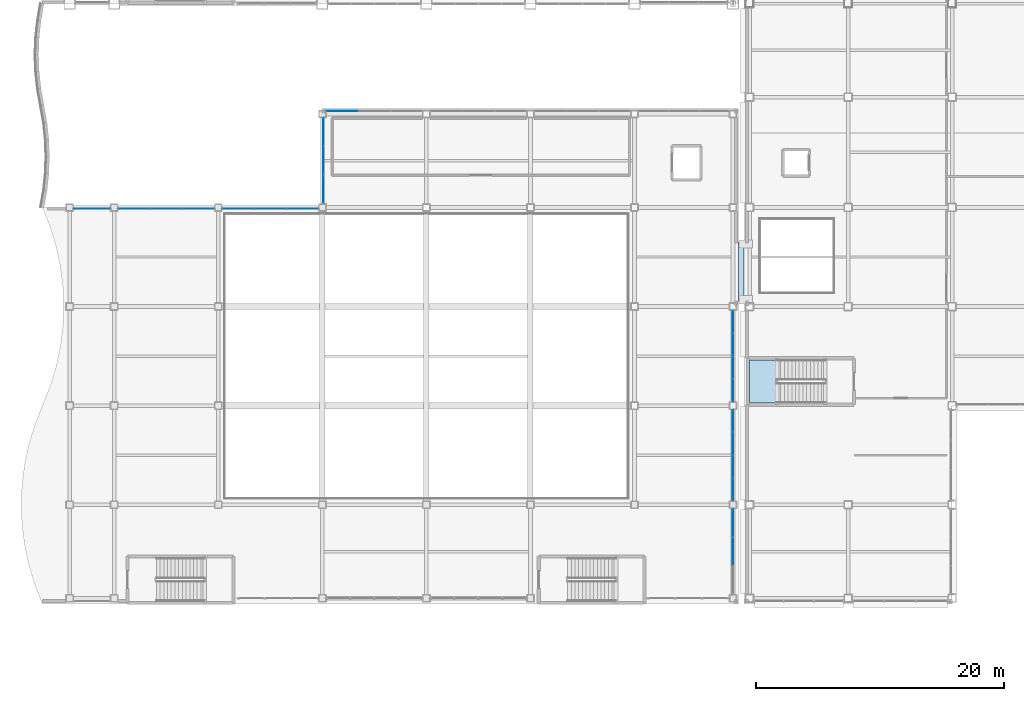
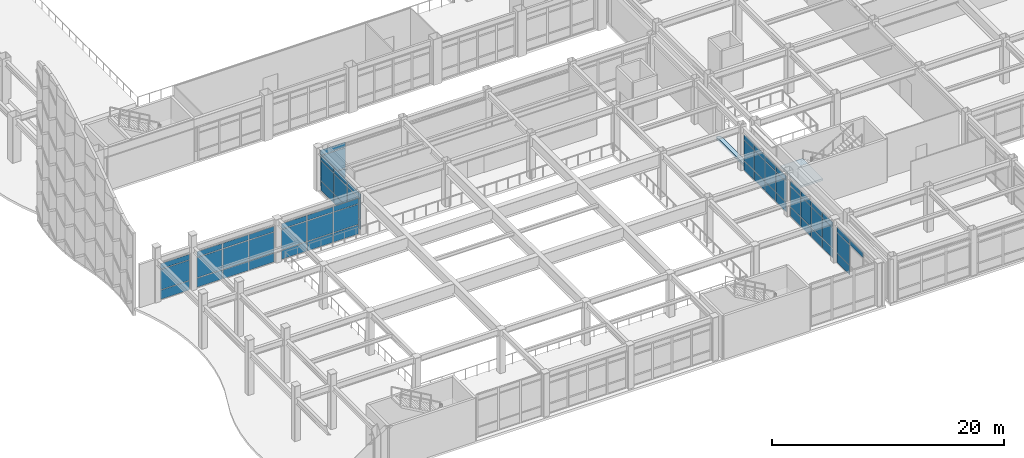
# One storey, part 124 of 172: 61 plates, 2 slabs, 9 elements without a shape of their own.
"""IFC4 building model written with IfcOpenShell, lengths in metres."""

import ifcopenshell
import ifcopenshell.guid

model = None  # the IFC model being written
_history = None  # IfcOwnerHistory: only IFC2X3 demands one
_inside = {}  # id of a spatial element -> (the spatial element, [elements in it])
_under = {}  # id of a project, library or spatial element -> (it, [spatial elements below it])
_declared = {}  # id of a project -> (the project, [libraries it declares])
_typed = {}  # id of a type object -> (the type object, [elements of that type])
_made_of = {}  # id of a material, layer set ... -> (it, [elements and type objects made of it])


def new_model(schema):
    """Start an empty IFC model of exactly this schema.

    Asked for "IFC4X3", IfcOpenShell would pick the latest addendum, in which some entities
    have other attributes; the version numbers below select the first issue.
    IFC2X3 requires an IfcOwnerHistory on every rooted entity: one is made here for all.
    """
    global model, _history
    if schema == "IFC4X3":
        model = ifcopenshell.file(schema_version=(4, 3, 0, 0))
    else:
        model = ifcopenshell.file(schema=schema)
    _inside.clear()
    _under.clear()
    _declared.clear()
    _typed.clear()
    _made_of.clear()
    _history = None
    if model.schema == "IFC2X3":
        org = make("IfcOrganization", Name="unknown")
        user = make(
            "IfcPersonAndOrganization",
            ThePerson=make("IfcPerson", FamilyName="unknown"),
            TheOrganization=org,
        )
        app = make(
            "IfcApplication",
            ApplicationDeveloper=org,
            Version="unknown",
            ApplicationFullName="unknown",
            ApplicationIdentifier="unknown",
        )
        _history = make(
            "IfcOwnerHistory",
            OwningUser=user,
            OwningApplication=app,
            ChangeAction="ADDED",
            CreationDate=0,
        )
    return model


def make(cls, **values):
    """One entity of the class cls with the attributes given. An attribute that is None is left unset."""
    return model.create_entity(
        cls, **{name: value for name, value in values.items() if value is not None}
    )


def rooted(cls, **values):
    """An entity with a GlobalId (a new one), such as an element, a storey or a relation."""
    return make(cls, GlobalId=ifcopenshell.guid.new(), OwnerHistory=_history, **values)


def si_unit(unit_type, name, prefix=None):
    """IfcSIUnit, for example si_unit("LENGTHUNIT", "METRE", prefix="MILLI")."""
    return make("IfcSIUnit", UnitType=unit_type, Prefix=prefix, Name=name)


def assignment(units):
    """IfcUnitAssignment: the units of a project."""
    return None if units is None else make("IfcUnitAssignment", Units=units)


def point(xyz):
    """IfcCartesianPoint."""
    return None if xyz is None else make("IfcCartesianPoint", Coordinates=xyz)


def direction(xyz):
    """IfcDirection."""
    return None if xyz is None else make("IfcDirection", DirectionRatios=xyz)


def frame(location, z_axis=None, x_axis=None):
    """IfcAxis2Placement3D, a coordinate frame: its origin and axes. An axis left out is left unset."""
    return make(
        "IfcAxis2Placement3D",
        Location=point(location),
        Axis=direction(z_axis),
        RefDirection=direction(x_axis),
    )


def frame_2d(location, x_axis=None):
    """IfcAxis2Placement2D, a coordinate frame in the plane: its origin and x axis."""
    return make(
        "IfcAxis2Placement2D", Location=point(location), RefDirection=direction(x_axis)
    )


def origin():
    """The frame at (0, 0, 0) with its axes left unset."""
    return frame((0.0, 0.0, 0.0))


def origin_2d():
    """The frame at (0, 0) in the plane with its x axis left unset."""
    return frame_2d((0.0, 0.0))


def place(relative_to, where):
    """IfcLocalPlacement: puts the frame where relative to a parent placement (None: the world)."""
    return make(
        "IfcLocalPlacement", PlacementRelTo=relative_to, RelativePlacement=where
    )


def context(
    kind, dimensions, precision=None, world=None, true_north=None, identifier=None
):
    """IfcGeometricRepresentationContext, for example the 3D "Model" context."""
    return make(
        "IfcGeometricRepresentationContext",
        ContextIdentifier=identifier,
        ContextType=kind,
        CoordinateSpaceDimension=dimensions,
        Precision=precision,
        WorldCoordinateSystem=world,
        TrueNorth=true_north,
    )


def subcontext(parent, identifier, kind, view, scale=None):
    """IfcGeometricRepresentationSubContext, for example "Body" below "Model"."""
    return make(
        "IfcGeometricRepresentationSubContext",
        ContextIdentifier=identifier,
        ContextType=kind,
        ParentContext=parent,
        TargetScale=scale,
        TargetView=view,
    )


def project(units=None, contexts=None):
    """IfcProject with its units and contexts."""
    return rooted(
        "IfcProject",
        Name="project",
        RepresentationContexts=contexts,
        UnitsInContext=assignment(units),
    )


def spatial(cls, under=None, at=None, **own):
    """A site, building, storey or space (cls), placed at a placement, below another one or the project."""
    s = rooted(cls, ObjectPlacement=at, **own)
    if under is not None:
        _under.setdefault(under.id(), (under, []))[1].append(s)
    return s


def polyline(points):
    """IfcPolyline through the points."""
    return make("IfcPolyline", Points=[point(p) for p in points])


def profile(cls, at=None, kind="AREA", **sizes):
    """A parametric profile (cls). Its sizes go by their IFC names, for example OverallWidth=200.0."""
    return make(cls, ProfileType=kind, Position=at, **sizes)


def rectangle(**sizes):
    """IfcRectangleProfileDef."""
    return profile("IfcRectangleProfileDef", **sizes)


def outline(outer, holes=None, kind="AREA"):
    """IfcArbitraryClosedProfileDef: a profile drawn as a closed curve; with holes, ...WithVoids."""
    if holes is None:
        return make("IfcArbitraryClosedProfileDef", ProfileType=kind, OuterCurve=outer)
    return make(
        "IfcArbitraryProfileDefWithVoids",
        ProfileType=kind,
        OuterCurve=outer,
        InnerCurves=holes,
    )


def extrude(swept, where, along, depth):
    """IfcExtrudedAreaSolid: the profile swept, set in the frame where, extruded along a direction by depth."""
    return make(
        "IfcExtrudedAreaSolid",
        SweptArea=swept,
        Position=where,
        ExtrudedDirection=direction(along),
        Depth=depth,
    )


def shape(context_of_items, identifier, shape_type, items):
    """IfcShapeRepresentation: the items that make up one representation, for example the "Body"."""
    return make(
        "IfcShapeRepresentation",
        ContextOfItems=context_of_items,
        RepresentationIdentifier=identifier,
        RepresentationType=shape_type,
        Items=items,
    )


def material(Name=None, Category=None):
    """IfcMaterial."""
    return make("IfcMaterial", Name=Name, Category=Category)


def layer(
    of_material, thickness, ventilated=None, Name=None, Category=None, Priority=None
):
    """IfcMaterialLayer: one layer of a wall or slab, of a material (None: an air gap)."""
    return make(
        "IfcMaterialLayer",
        Material=of_material,
        LayerThickness=thickness,
        IsVentilated=ventilated,
        Name=Name,
        Category=Category,
        Priority=Priority,
    )


def layer_set(layers, Name=None):
    """IfcMaterialLayerSet."""
    return make("IfcMaterialLayerSet", MaterialLayers=layers, LayerSetName=Name)


def made_of(thing, what):
    """Note that an element or type object is made of a material, layer set ...; save() writes the relation."""
    if what is not None:
        _made_of.setdefault(what.id(), (what, []))[1].append(thing)
    return thing


def type_object(cls, material=None, **own):
    """A type object (cls), such as IfcWallType, which elements share."""
    return made_of(rooted(cls, **own), material)


def element(
    cls,
    number,
    at=None,
    inside=None,
    cuts=None,
    type_object=None,
    material=None,
    context=None,
    identifier="Body",
    shape_type=None,
    held_by="IfcProductDefinitionShape",
    body=None,
    shapes=None,
    **own,
):
    """One element of the class cls, such as IfcWall. Its Tag is "e" and its number.

    at: its placement. inside: the storey or other place that contains it. cuts: it is an
    opening in that element (IfcRelVoidsElement). A single representation is given by context,
    identifier, shape_type and body (its items); several are given by shapes. held_by: the class
    of the entity that holds the representations. save() writes the other relations.
    """
    e = rooted(cls, Tag="e%d" % number, ObjectPlacement=at, **own)
    if body is not None:
        shapes = [shape(context, identifier, shape_type, body)]
    if shapes is not None:
        e.Representation = make(held_by, Representations=shapes)
    if inside is not None:
        _inside.setdefault(inside.id(), (inside, []))[1].append(e)
    if cuts is not None:
        rooted(
            "IfcRelVoidsElement", RelatingBuildingElement=cuts, RelatedOpeningElement=e
        )
    if type_object is not None:
        _typed.setdefault(type_object.id(), (type_object, []))[1].append(e)
    return made_of(e, material)


def aggregate(whole, parts):
    """IfcRelAggregates: a whole, such as a stair, and the parts it consists of."""
    return rooted("IfcRelAggregates", RelatingObject=whole, RelatedObjects=parts)


def save(model, path):
    """Write the relations noted so far, then the file.

    IfcRelAggregates (storeys below a building ...), IfcRelContainedInSpatialStructure (elements
    in a storey), IfcRelDefinesByType, IfcRelAssociatesMaterial and IfcRelDeclares: one each for
    every whole, place, type object, material and project.
    """
    for whole, parts in _under.values():
        aggregate(whole, parts)
    for where, things in _inside.values():
        rooted(
            "IfcRelContainedInSpatialStructure",
            RelatedElements=things,
            RelatingStructure=where,
        )
    for kind, things in _typed.values():
        rooted("IfcRelDefinesByType", RelatedObjects=things, RelatingType=kind)
    for what, things in _made_of.values():
        rooted("IfcRelAssociatesMaterial", RelatedObjects=things, RelatingMaterial=what)
    for by, libraries in _declared.values():
        rooted("IfcRelDeclares", RelatingContext=by, RelatedDefinitions=libraries)
    model.write(path)


model = new_model("IFC4")

# Units and contexts
model_context = context("Model", 3, precision=1e-05, world=origin(), true_north=direction((0.0, 1.0)))
body_context = subcontext(model_context, "Body", "Model", "MODEL_VIEW")
ifc_project = project(units=[si_unit("LENGTHUNIT", "METRE"), si_unit("AREAUNIT", "SQUARE_METRE"), si_unit("VOLUMEUNIT", "CUBIC_METRE"), si_unit("PLANEANGLEUNIT", "RADIAN"), si_unit("MASSUNIT", "GRAM", prefix="KILO")], contexts=[model_context])

# Site, building, storey
site_placement = place(None, origin())
site = spatial("IfcSite", under=ifc_project, at=site_placement, CompositionType="ELEMENT")
building_placement = place(site_placement, origin())
building = spatial("IfcBuilding", under=site, at=building_placement, Name="Kazehara Bluff Congress Hotel", CompositionType="ELEMENT")
storey_placement = place(building_placement, frame((0.0, 0.0, 5.39990234375)))
storey = spatial("IfcBuildingStorey", under=building, at=storey_placement, Name="L01", CompositionType="ELEMENT", Elevation=5.39990234375)

# Curtain wall, plates
ifc_material_1 = material(Name="Anodised aluminium", Category="aluminium")
ifc_layer_1 = layer(ifc_material_1, 0.159912109375)
ifc_layer_set_1 = layer_set([ifc_layer_1], Name="Anodised aluminium")
curtain_wall_type_1 = type_object("IfcCurtainWallType", Name="TP-CW-33", PredefinedType="NOTDEFINED", material=ifc_layer_set_1)
curtain_wall_1_placement = place(storey_placement, origin())
curtain_wall_1 = element("IfcCurtainWall", 1, at=curtain_wall_1_placement, inside=storey, type_object=curtain_wall_type_1, Name="L01 curtain wall CW-33 CW-V2-L01-X5835-75", PredefinedType="NOTDEFINED")
ifc_material_2 = material(Name="Insulated low-E double glazing", Category="glass")
ifc_layer_2 = layer(ifc_material_2, 0.028076171875)
ifc_layer_set_2 = layer_set([ifc_layer_2], Name="Insulated low-E double glazing")
plate_type_1 = type_object("IfcPlateType", Name="TP-CWP-01", PredefinedType="CURTAIN_PANEL", material=ifc_layer_set_2)
plate_1_placement = place(storey_placement, frame((58.35009765625, 4.22509765625, 3.2578125), z_axis=(0.0, 0.0, 1.0), x_axis=(0.0, 1.0, 0.0)))
plate_1 = element("IfcPlate", 2, at=plate_1_placement, type_object=plate_type_1, Name="CW-33 panel 2.3", PredefinedType="CURTAIN_PANEL", context=body_context, shape_type="SweptSolid", body=[
    extrude(rectangle(XDim=2.251708984375, YDim=0.028076171875, at=origin_2d()), origin(), (0.0, 0.0, 1.0), 0.552490234375),
])
plate_2_placement = place(storey_placement, frame((58.35009765625, 6.525390625, 0.06494140625), z_axis=(0.0, 0.0, 1.0), x_axis=(0.0, 1.0, 0.0)))
plate_2 = element("IfcPlate", 3, at=plate_2_placement, type_object=plate_type_1, Name="CW-33 panel 3.1", PredefinedType="CURTAIN_PANEL", context=body_context, shape_type="SweptSolid", body=[
    extrude(rectangle(XDim=2.21923828125, YDim=0.028076171875, at=origin_2d()), origin(), (0.0, 0.0, 1.0), 0.952392578125),
])
plate_3_placement = place(storey_placement, frame((58.35009765625, 6.525390625, 1.08251953125), z_axis=(0.0, 0.0, 1.0), x_axis=(0.0, 1.0, 0.0)))
plate_3 = element("IfcPlate", 4, at=plate_3_placement, type_object=plate_type_1, Name="CW-33 panel 3.2", PredefinedType="CURTAIN_PANEL", context=body_context, shape_type="SweptSolid", body=[
    extrude(rectangle(XDim=2.21923828125, YDim=0.028076171875, at=origin_2d()), origin(), (0.0, 0.0, 1.0), 2.110107421875),
])
plate_4_placement = place(storey_placement, frame((58.35009765625, 6.525390625, 3.2578125), z_axis=(0.0, 0.0, 1.0), x_axis=(0.0, 1.0, 0.0)))
plate_4 = element("IfcPlate", 5, at=plate_4_placement, type_object=plate_type_1, Name="CW-33 panel 3.3", PredefinedType="CURTAIN_PANEL", context=body_context, shape_type="SweptSolid", body=[
    extrude(rectangle(XDim=2.21923828125, YDim=0.028076171875, at=origin_2d()), origin(), (0.0, 0.0, 1.0), 0.552490234375),
])
aggregate(curtain_wall_1, [plate_1, plate_2, plate_3, plate_4])

ifc_material_3 = material(Name="Anodised aluminium", Category="aluminium")
ifc_layer_3 = layer(ifc_material_3, 0.159912109375)
ifc_layer_set_3 = layer_set([ifc_layer_3], Name="Anodised aluminium")
curtain_wall_type_2 = type_object("IfcCurtainWallType", Name="TP-CW-34", PredefinedType="NOTDEFINED", material=ifc_layer_set_3)
curtain_wall_2_placement = place(storey_placement, origin())
curtain_wall_2 = element("IfcCurtainWall", 6, at=curtain_wall_2_placement, inside=storey, type_object=curtain_wall_type_2, Name="L01 curtain wall CW-34 CW-V2-L01-X5835-830", PredefinedType="NOTDEFINED")
plate_5_placement = place(storey_placement, frame((58.35009765625, 9.2412109375, 0.06494140625), z_axis=(0.0, 0.0, 1.0), x_axis=(0.0, 1.0, 0.0)))
plate_5 = element("IfcPlate", 7, at=plate_5_placement, type_object=plate_type_1, Name="CW-34 panel 1.1", PredefinedType="CURTAIN_PANEL", context=body_context, shape_type="SweptSolid", body=[
    extrude(rectangle(XDim=1.75244140625, YDim=0.028076171875, at=origin_2d()), origin(), (0.0, 0.0, 1.0), 0.952392578125),
])
plate_6_placement = place(storey_placement, frame((58.35009765625, 9.2412109375, 1.08251953125), z_axis=(0.0, 0.0, 1.0), x_axis=(0.0, 1.0, 0.0)))
plate_6 = element("IfcPlate", 8, at=plate_6_placement, type_object=plate_type_1, Name="CW-34 panel 1.2", PredefinedType="CURTAIN_PANEL", context=body_context, shape_type="SweptSolid", body=[
    extrude(rectangle(XDim=1.75244140625, YDim=0.028076171875, at=origin_2d()), origin(), (0.0, 0.0, 1.0), 2.110107421875),
])
plate_7_placement = place(storey_placement, frame((58.35009765625, 9.2412109375, 3.2578125), z_axis=(0.0, 0.0, 1.0), x_axis=(0.0, 1.0, 0.0)))
plate_7 = element("IfcPlate", 9, at=plate_7_placement, type_object=plate_type_1, Name="CW-34 panel 1.3", PredefinedType="CURTAIN_PANEL", context=body_context, shape_type="SweptSolid", body=[
    extrude(rectangle(XDim=1.75244140625, YDim=0.028076171875, at=origin_2d()), origin(), (0.0, 0.0, 1.0), 0.552490234375),
])
plate_8_placement = place(storey_placement, frame((58.35009765625, 11.074951171875, 0.06494140625), z_axis=(0.0, 0.0, 1.0), x_axis=(0.0, 1.0, 0.0)))
plate_8 = element("IfcPlate", 10, at=plate_8_placement, type_object=plate_type_1, Name="CW-34 panel 2.1", PredefinedType="CURTAIN_PANEL", context=body_context, shape_type="SweptSolid", body=[
    extrude(rectangle(XDim=1.784912109375, YDim=0.028076171875, at=origin_2d()), origin(), (0.0, 0.0, 1.0), 0.952392578125),
])
plate_9_placement = place(storey_placement, frame((58.35009765625, 11.074951171875, 1.08251953125), z_axis=(0.0, 0.0, 1.0), x_axis=(0.0, 1.0, 0.0)))
plate_9 = element("IfcPlate", 11, at=plate_9_placement, type_object=plate_type_1, Name="CW-34 panel 2.2", PredefinedType="CURTAIN_PANEL", context=body_context, shape_type="SweptSolid", body=[
    extrude(rectangle(XDim=1.784912109375, YDim=0.028076171875, at=origin_2d()), origin(), (0.0, 0.0, 1.0), 2.110107421875),
])
plate_10_placement = place(storey_placement, frame((58.35009765625, 11.074951171875, 3.2578125), z_axis=(0.0, 0.0, 1.0), x_axis=(0.0, 1.0, 0.0)))
plate_10 = element("IfcPlate", 12, at=plate_10_placement, type_object=plate_type_1, Name="CW-34 panel 2.3", PredefinedType="CURTAIN_PANEL", context=body_context, shape_type="SweptSolid", body=[
    extrude(rectangle(XDim=1.784912109375, YDim=0.028076171875, at=origin_2d()), origin(), (0.0, 0.0, 1.0), 0.552490234375),
])
plate_11_placement = place(storey_placement, frame((58.35009765625, 12.925048828125, 0.06494140625), z_axis=(0.0, 0.0, 1.0), x_axis=(0.0, 1.0, 0.0)))
plate_11 = element("IfcPlate", 13, at=plate_11_placement, type_object=plate_type_1, Name="CW-34 panel 3.1", PredefinedType="CURTAIN_PANEL", context=body_context, shape_type="SweptSolid", body=[
    extrude(rectangle(XDim=1.784912109375, YDim=0.028076171875, at=origin_2d()), origin(), (0.0, 0.0, 1.0), 0.952392578125),
])
plate_12_placement = place(storey_placement, frame((58.35009765625, 12.925048828125, 1.08251953125), z_axis=(0.0, 0.0, 1.0), x_axis=(0.0, 1.0, 0.0)))
plate_12 = element("IfcPlate", 14, at=plate_12_placement, type_object=plate_type_1, Name="CW-34 panel 3.2", PredefinedType="CURTAIN_PANEL", context=body_context, shape_type="SweptSolid", body=[
    extrude(rectangle(XDim=1.784912109375, YDim=0.028076171875, at=origin_2d()), origin(), (0.0, 0.0, 1.0), 2.110107421875),
])
plate_13_placement = place(storey_placement, frame((58.35009765625, 12.925048828125, 3.2578125), z_axis=(0.0, 0.0, 1.0), x_axis=(0.0, 1.0, 0.0)))
plate_13 = element("IfcPlate", 15, at=plate_13_placement, type_object=plate_type_1, Name="CW-34 panel 3.3", PredefinedType="CURTAIN_PANEL", context=body_context, shape_type="SweptSolid", body=[
    extrude(rectangle(XDim=1.784912109375, YDim=0.028076171875, at=origin_2d()), origin(), (0.0, 0.0, 1.0), 0.552490234375),
])
plate_14_placement = place(storey_placement, frame((58.35009765625, 14.7587890625, 0.06494140625), z_axis=(0.0, 0.0, 1.0), x_axis=(0.0, 1.0, 0.0)))
plate_14 = element("IfcPlate", 16, at=plate_14_placement, type_object=plate_type_1, Name="CW-34 panel 4.1", PredefinedType="CURTAIN_PANEL", context=body_context, shape_type="SweptSolid", body=[
    extrude(rectangle(XDim=1.75244140625, YDim=0.028076171875, at=origin_2d()), origin(), (0.0, 0.0, 1.0), 0.952392578125),
])
plate_15_placement = place(storey_placement, frame((58.35009765625, 14.7587890625, 1.08251953125), z_axis=(0.0, 0.0, 1.0), x_axis=(0.0, 1.0, 0.0)))
plate_15 = element("IfcPlate", 17, at=plate_15_placement, type_object=plate_type_1, Name="CW-34 panel 4.2", PredefinedType="CURTAIN_PANEL", context=body_context, shape_type="SweptSolid", body=[
    extrude(rectangle(XDim=1.75244140625, YDim=0.028076171875, at=origin_2d()), origin(), (0.0, 0.0, 1.0), 2.110107421875),
])
plate_16_placement = place(storey_placement, frame((58.35009765625, 14.7587890625, 3.2578125), z_axis=(0.0, 0.0, 1.0), x_axis=(0.0, 1.0, 0.0)))
plate_16 = element("IfcPlate", 18, at=plate_16_placement, type_object=plate_type_1, Name="CW-34 panel 4.3", PredefinedType="CURTAIN_PANEL", context=body_context, shape_type="SweptSolid", body=[
    extrude(rectangle(XDim=1.75244140625, YDim=0.028076171875, at=origin_2d()), origin(), (0.0, 0.0, 1.0), 0.552490234375),
])
aggregate(curtain_wall_2, [plate_5, plate_6, plate_7, plate_8, plate_9, plate_10, plate_11, plate_12, plate_13, plate_14, plate_15, plate_16])

curtain_wall_3_placement = place(storey_placement, origin())
curtain_wall_3 = element("IfcCurtainWall", 19, at=curtain_wall_3_placement, inside=storey, type_object=curtain_wall_type_2, Name="L01 curtain wall CW-34 CW-V2-L01-X5835-1630", PredefinedType="NOTDEFINED")
plate_17_placement = place(storey_placement, frame((58.35009765625, 17.2412109375, 0.06494140625), z_axis=(0.0, 0.0, 1.0), x_axis=(0.0, 1.0, 0.0)))
plate_17 = element("IfcPlate", 20, at=plate_17_placement, type_object=plate_type_1, Name="CW-34 panel 1.1", PredefinedType="CURTAIN_PANEL", context=body_context, shape_type="SweptSolid", body=[
    extrude(rectangle(XDim=1.75244140625, YDim=0.028076171875, at=origin_2d()), origin(), (0.0, 0.0, 1.0), 0.952392578125),
])
plate_18_placement = place(storey_placement, frame((58.35009765625, 17.2412109375, 1.08251953125), z_axis=(0.0, 0.0, 1.0), x_axis=(0.0, 1.0, 0.0)))
plate_18 = element("IfcPlate", 21, at=plate_18_placement, type_object=plate_type_1, Name="CW-34 panel 1.2", PredefinedType="CURTAIN_PANEL", context=body_context, shape_type="SweptSolid", body=[
    extrude(rectangle(XDim=1.75244140625, YDim=0.028076171875, at=origin_2d()), origin(), (0.0, 0.0, 1.0), 2.110107421875),
])
plate_19_placement = place(storey_placement, frame((58.35009765625, 17.2412109375, 3.2578125), z_axis=(0.0, 0.0, 1.0), x_axis=(0.0, 1.0, 0.0)))
plate_19 = element("IfcPlate", 22, at=plate_19_placement, type_object=plate_type_1, Name="CW-34 panel 1.3", PredefinedType="CURTAIN_PANEL", context=body_context, shape_type="SweptSolid", body=[
    extrude(rectangle(XDim=1.75244140625, YDim=0.028076171875, at=origin_2d()), origin(), (0.0, 0.0, 1.0), 0.552490234375),
])
plate_20_placement = place(storey_placement, frame((58.35009765625, 19.074951171875, 0.06494140625), z_axis=(0.0, 0.0, 1.0), x_axis=(0.0, 1.0, 0.0)))
plate_20 = element("IfcPlate", 23, at=plate_20_placement, type_object=plate_type_1, Name="CW-34 panel 2.1", PredefinedType="CURTAIN_PANEL", context=body_context, shape_type="SweptSolid", body=[
    extrude(rectangle(XDim=1.784912109375, YDim=0.028076171875, at=origin_2d()), origin(), (0.0, 0.0, 1.0), 0.952392578125),
])
plate_21_placement = place(storey_placement, frame((58.35009765625, 19.074951171875, 1.08251953125), z_axis=(0.0, 0.0, 1.0), x_axis=(0.0, 1.0, 0.0)))
plate_21 = element("IfcPlate", 24, at=plate_21_placement, type_object=plate_type_1, Name="CW-34 panel 2.2", PredefinedType="CURTAIN_PANEL", context=body_context, shape_type="SweptSolid", body=[
    extrude(rectangle(XDim=1.784912109375, YDim=0.028076171875, at=origin_2d()), origin(), (0.0, 0.0, 1.0), 2.110107421875),
])
plate_22_placement = place(storey_placement, frame((58.35009765625, 19.074951171875, 3.2578125), z_axis=(0.0, 0.0, 1.0), x_axis=(0.0, 1.0, 0.0)))
plate_22 = element("IfcPlate", 25, at=plate_22_placement, type_object=plate_type_1, Name="CW-34 panel 2.3", PredefinedType="CURTAIN_PANEL", context=body_context, shape_type="SweptSolid", body=[
    extrude(rectangle(XDim=1.784912109375, YDim=0.028076171875, at=origin_2d()), origin(), (0.0, 0.0, 1.0), 0.552490234375),
])
plate_23_placement = place(storey_placement, frame((58.35009765625, 20.925048828125, 0.06494140625), z_axis=(0.0, 0.0, 1.0), x_axis=(0.0, 1.0, 0.0)))
plate_23 = element("IfcPlate", 26, at=plate_23_placement, type_object=plate_type_1, Name="CW-34 panel 3.1", PredefinedType="CURTAIN_PANEL", context=body_context, shape_type="SweptSolid", body=[
    extrude(rectangle(XDim=1.784912109375, YDim=0.028076171875, at=origin_2d()), origin(), (0.0, 0.0, 1.0), 0.952392578125),
])
plate_24_placement = place(storey_placement, frame((58.35009765625, 20.925048828125, 1.08251953125), z_axis=(0.0, 0.0, 1.0), x_axis=(0.0, 1.0, 0.0)))
plate_24 = element("IfcPlate", 27, at=plate_24_placement, type_object=plate_type_1, Name="CW-34 panel 3.2", PredefinedType="CURTAIN_PANEL", context=body_context, shape_type="SweptSolid", body=[
    extrude(rectangle(XDim=1.784912109375, YDim=0.028076171875, at=origin_2d()), origin(), (0.0, 0.0, 1.0), 2.110107421875),
])
plate_25_placement = place(storey_placement, frame((58.35009765625, 20.925048828125, 3.2578125), z_axis=(0.0, 0.0, 1.0), x_axis=(0.0, 1.0, 0.0)))
plate_25 = element("IfcPlate", 28, at=plate_25_placement, type_object=plate_type_1, Name="CW-34 panel 3.3", PredefinedType="CURTAIN_PANEL", context=body_context, shape_type="SweptSolid", body=[
    extrude(rectangle(XDim=1.784912109375, YDim=0.028076171875, at=origin_2d()), origin(), (0.0, 0.0, 1.0), 0.552490234375),
])
plate_26_placement = place(storey_placement, frame((58.35009765625, 22.7587890625, 0.06494140625), z_axis=(0.0, 0.0, 1.0), x_axis=(0.0, 1.0, 0.0)))
plate_26 = element("IfcPlate", 29, at=plate_26_placement, type_object=plate_type_1, Name="CW-34 panel 4.1", PredefinedType="CURTAIN_PANEL", context=body_context, shape_type="SweptSolid", body=[
    extrude(rectangle(XDim=1.75244140625, YDim=0.028076171875, at=origin_2d()), origin(), (0.0, 0.0, 1.0), 0.952392578125),
])
plate_27_placement = place(storey_placement, frame((58.35009765625, 22.7587890625, 1.08251953125), z_axis=(0.0, 0.0, 1.0), x_axis=(0.0, 1.0, 0.0)))
plate_27 = element("IfcPlate", 30, at=plate_27_placement, type_object=plate_type_1, Name="CW-34 panel 4.2", PredefinedType="CURTAIN_PANEL", context=body_context, shape_type="SweptSolid", body=[
    extrude(rectangle(XDim=1.75244140625, YDim=0.028076171875, at=origin_2d()), origin(), (0.0, 0.0, 1.0), 2.110107421875),
])
plate_28_placement = place(storey_placement, frame((58.35009765625, 22.7587890625, 3.2578125), z_axis=(0.0, 0.0, 1.0), x_axis=(0.0, 1.0, 0.0)))
plate_28 = element("IfcPlate", 31, at=plate_28_placement, type_object=plate_type_1, Name="CW-34 panel 4.3", PredefinedType="CURTAIN_PANEL", context=body_context, shape_type="SweptSolid", body=[
    extrude(rectangle(XDim=1.75244140625, YDim=0.028076171875, at=origin_2d()), origin(), (0.0, 0.0, 1.0), 0.552490234375),
])
aggregate(curtain_wall_3, [plate_17, plate_18, plate_19, plate_20, plate_21, plate_22, plate_23, plate_24, plate_25, plate_26, plate_27, plate_28])

ifc_material_4 = material(Name="Anodised aluminium", Category="aluminium")
ifc_layer_4 = layer(ifc_material_4, 0.159912109375)
ifc_layer_set_4 = layer_set([ifc_layer_4], Name="Anodised aluminium")
curtain_wall_type_3 = type_object("IfcCurtainWallType", Name="TP-CW-29", PredefinedType="NOTDEFINED", material=ifc_layer_set_4)
curtain_wall_4_placement = place(storey_placement, origin())
curtain_wall_4 = element("IfcCurtainWall", 32, at=curtain_wall_4_placement, inside=storey, type_object=curtain_wall_type_3, Name="L01 curtain wall CW-29 CW-ENC-V2-L01-2940-3978", PredefinedType="NOTDEFINED")
plate_29_placement = place(storey_placement, frame((26.816162109375, 39.780029296875, 0.06494140625), z_axis=(0.0, 0.0, 1.0), x_axis=(1.0, 0.0, 0.0)))
plate_29 = element("IfcPlate", 33, at=plate_29_placement, type_object=plate_type_1, Name="CW-29 panel 1.1", PredefinedType="CURTAIN_PANEL", context=body_context, shape_type="SweptSolid", body=[
    extrude(rectangle(XDim=2.50244140625, YDim=0.028076171875, at=origin_2d()), origin(), (0.0, 0.0, 1.0), 0.952392578125),
])
plate_30_placement = place(storey_placement, frame((26.816162109375, 39.780029296875, 1.08251953125), z_axis=(0.0, 0.0, 1.0), x_axis=(1.0, 0.0, 0.0)))
plate_30 = element("IfcPlate", 34, at=plate_30_placement, type_object=plate_type_1, Name="CW-29 panel 1.2", PredefinedType="CURTAIN_PANEL", context=body_context, shape_type="SweptSolid", body=[
    extrude(rectangle(XDim=2.50244140625, YDim=0.028076171875, at=origin_2d()), origin(), (0.0, 0.0, 1.0), 2.110107421875),
])
plate_31_placement = place(storey_placement, frame((26.816162109375, 39.780029296875, 3.2578125), z_axis=(0.0, 0.0, 1.0), x_axis=(1.0, 0.0, 0.0)))
plate_31 = element("IfcPlate", 35, at=plate_31_placement, type_object=plate_type_1, Name="CW-29 panel 1.3", PredefinedType="CURTAIN_PANEL", context=body_context, shape_type="SweptSolid", body=[
    extrude(rectangle(XDim=2.50244140625, YDim=0.028076171875, at=origin_2d()), origin(), (0.0, 0.0, 1.0), 0.552490234375),
])
aggregate(curtain_wall_4, [plate_29, plate_30, plate_31])

curtain_wall_5_placement = place(storey_placement, origin())
curtain_wall_5 = element("IfcCurtainWall", 36, at=curtain_wall_5_placement, inside=storey, type_object=curtain_wall_type_1, Name="L01 curtain wall CW-33 CW-ENC-V2-L01-2530-3578", PredefinedType="NOTDEFINED")
plate_32_placement = place(storey_placement, frame((25.300048828125, 33.474609375, 0.06494140625), z_axis=(0.0, 0.0, 1.0), x_axis=(0.0, 1.0, 0.0)))
plate_32 = element("IfcPlate", 37, at=plate_32_placement, type_object=plate_type_1, Name="CW-33 panel 1.1", PredefinedType="CURTAIN_PANEL", context=body_context, shape_type="SweptSolid", body=[
    extrude(rectangle(XDim=2.21923828125, YDim=0.028076171875, at=origin_2d()), origin(), (0.0, 0.0, 1.0), 0.952392578125),
])
plate_33_placement = place(storey_placement, frame((25.300048828125, 33.474609375, 1.08251953125), z_axis=(0.0, 0.0, 1.0), x_axis=(0.0, 1.0, 0.0)))
plate_33 = element("IfcPlate", 38, at=plate_33_placement, type_object=plate_type_1, Name="CW-33 panel 1.2", PredefinedType="CURTAIN_PANEL", context=body_context, shape_type="SweptSolid", body=[
    extrude(rectangle(XDim=2.21923828125, YDim=0.028076171875, at=origin_2d()), origin(), (0.0, 0.0, 1.0), 2.110107421875),
])
plate_34_placement = place(storey_placement, frame((25.300048828125, 33.474609375, 3.2578125), z_axis=(0.0, 0.0, 1.0), x_axis=(0.0, 1.0, 0.0)))
plate_34 = element("IfcPlate", 39, at=plate_34_placement, type_object=plate_type_1, Name="CW-33 panel 1.3", PredefinedType="CURTAIN_PANEL", context=body_context, shape_type="SweptSolid", body=[
    extrude(rectangle(XDim=2.21923828125, YDim=0.028076171875, at=origin_2d()), origin(), (0.0, 0.0, 1.0), 0.552490234375),
])
plate_35_placement = place(storey_placement, frame((25.300048828125, 35.77490234375, 0.06494140625), z_axis=(0.0, 0.0, 1.0), x_axis=(0.0, 1.0, 0.0)))
plate_35 = element("IfcPlate", 40, at=plate_35_placement, type_object=plate_type_1, Name="CW-33 panel 2.1", PredefinedType="CURTAIN_PANEL", context=body_context, shape_type="SweptSolid", body=[
    extrude(rectangle(XDim=2.251708984375, YDim=0.028076171875, at=origin_2d()), origin(), (0.0, 0.0, 1.0), 0.952392578125),
])
plate_36_placement = place(storey_placement, frame((25.300048828125, 35.77490234375, 1.08251953125), z_axis=(0.0, 0.0, 1.0), x_axis=(0.0, 1.0, 0.0)))
plate_36 = element("IfcPlate", 41, at=plate_36_placement, type_object=plate_type_1, Name="CW-33 panel 2.2", PredefinedType="CURTAIN_PANEL", context=body_context, shape_type="SweptSolid", body=[
    extrude(rectangle(XDim=2.251708984375, YDim=0.028076171875, at=origin_2d()), origin(), (0.0, 0.0, 1.0), 2.110107421875),
])
plate_37_placement = place(storey_placement, frame((25.300048828125, 35.77490234375, 3.2578125), z_axis=(0.0, 0.0, 1.0), x_axis=(0.0, 1.0, 0.0)))
plate_37 = element("IfcPlate", 42, at=plate_37_placement, type_object=plate_type_1, Name="CW-33 panel 2.3", PredefinedType="CURTAIN_PANEL", context=body_context, shape_type="SweptSolid", body=[
    extrude(rectangle(XDim=2.251708984375, YDim=0.028076171875, at=origin_2d()), origin(), (0.0, 0.0, 1.0), 0.552490234375),
])
plate_38_placement = place(storey_placement, frame((25.300048828125, 38.075439453125, 0.06494140625), z_axis=(0.0, 0.0, 1.0), x_axis=(0.0, 1.0, 0.0)))
plate_38 = element("IfcPlate", 43, at=plate_38_placement, type_object=plate_type_1, Name="CW-33 panel 3.1", PredefinedType="CURTAIN_PANEL", context=body_context, shape_type="SweptSolid", body=[
    extrude(rectangle(XDim=2.21923828125, YDim=0.028076171875, at=origin_2d()), origin(), (0.0, 0.0, 1.0), 0.952392578125),
])
plate_39_placement = place(storey_placement, frame((25.300048828125, 38.075439453125, 1.08251953125), z_axis=(0.0, 0.0, 1.0), x_axis=(0.0, 1.0, 0.0)))
plate_39 = element("IfcPlate", 44, at=plate_39_placement, type_object=plate_type_1, Name="CW-33 panel 3.2", PredefinedType="CURTAIN_PANEL", context=body_context, shape_type="SweptSolid", body=[
    extrude(rectangle(XDim=2.21923828125, YDim=0.028076171875, at=origin_2d()), origin(), (0.0, 0.0, 1.0), 2.110107421875),
])
plate_40_placement = place(storey_placement, frame((25.300048828125, 38.075439453125, 3.2578125), z_axis=(0.0, 0.0, 1.0), x_axis=(0.0, 1.0, 0.0)))
plate_40 = element("IfcPlate", 45, at=plate_40_placement, type_object=plate_type_1, Name="CW-33 panel 3.3", PredefinedType="CURTAIN_PANEL", context=body_context, shape_type="SweptSolid", body=[
    extrude(rectangle(XDim=2.21923828125, YDim=0.028076171875, at=origin_2d()), origin(), (0.0, 0.0, 1.0), 0.552490234375),
])
aggregate(curtain_wall_5, [plate_32, plate_33, plate_34, plate_35, plate_36, plate_37, plate_38, plate_39, plate_40])

curtain_wall_6_placement = place(storey_placement, origin())
curtain_wall_6 = element("IfcCurtainWall", 46, at=curtain_wall_6_placement, inside=storey, type_object=curtain_wall_type_3, Name="L01 curtain wall CW-29 CW-ENC-V2-L01-1260-3190", PredefinedType="NOTDEFINED")
plate_41_placement = place(storey_placement, frame((10.016357421875, 31.89990234375, 0.06494140625), z_axis=(0.0, 0.0, 1.0), x_axis=(1.0, 0.0, 0.0)))
plate_41 = element("IfcPlate", 47, at=plate_41_placement, type_object=plate_type_1, Name="CW-29 panel 1.1", PredefinedType="CURTAIN_PANEL", context=body_context, shape_type="SweptSolid", body=[
    extrude(rectangle(XDim=2.50244140625, YDim=0.028076171875, at=origin_2d()), origin(), (0.0, 0.0, 1.0), 0.952392578125),
])
plate_42_placement = place(storey_placement, frame((10.016357421875, 31.89990234375, 1.08251953125), z_axis=(0.0, 0.0, 1.0), x_axis=(1.0, 0.0, 0.0)))
plate_42 = element("IfcPlate", 48, at=plate_42_placement, type_object=plate_type_1, Name="CW-29 panel 1.2", PredefinedType="CURTAIN_PANEL", context=body_context, shape_type="SweptSolid", body=[
    extrude(rectangle(XDim=2.50244140625, YDim=0.028076171875, at=origin_2d()), origin(), (0.0, 0.0, 1.0), 2.110107421875),
])
plate_43_placement = place(storey_placement, frame((10.016357421875, 31.89990234375, 3.2578125), z_axis=(0.0, 0.0, 1.0), x_axis=(1.0, 0.0, 0.0)))
plate_43 = element("IfcPlate", 49, at=plate_43_placement, type_object=plate_type_1, Name="CW-29 panel 1.3", PredefinedType="CURTAIN_PANEL", context=body_context, shape_type="SweptSolid", body=[
    extrude(rectangle(XDim=2.50244140625, YDim=0.028076171875, at=origin_2d()), origin(), (0.0, 0.0, 1.0), 0.552490234375),
])
plate_44_placement = place(storey_placement, frame((12.60009765625, 31.89990234375, 0.06494140625), z_axis=(0.0, 0.0, 1.0), x_axis=(1.0, 0.0, 0.0)))
plate_44 = element("IfcPlate", 50, at=plate_44_placement, type_object=plate_type_1, Name="CW-29 panel 2.1", PredefinedType="CURTAIN_PANEL", context=body_context, shape_type="SweptSolid", body=[
    extrude(rectangle(XDim=2.534912109375, YDim=0.028076171875, at=origin_2d()), origin(), (0.0, 0.0, 1.0), 0.952392578125),
])
plate_45_placement = place(storey_placement, frame((12.60009765625, 31.89990234375, 1.08251953125), z_axis=(0.0, 0.0, 1.0), x_axis=(1.0, 0.0, 0.0)))
plate_45 = element("IfcPlate", 51, at=plate_45_placement, type_object=plate_type_1, Name="CW-29 panel 2.2", PredefinedType="CURTAIN_PANEL", context=body_context, shape_type="SweptSolid", body=[
    extrude(rectangle(XDim=2.534912109375, YDim=0.028076171875, at=origin_2d()), origin(), (0.0, 0.0, 1.0), 2.110107421875),
])
plate_46_placement = place(storey_placement, frame((12.60009765625, 31.89990234375, 3.2578125), z_axis=(0.0, 0.0, 1.0), x_axis=(1.0, 0.0, 0.0)))
plate_46 = element("IfcPlate", 52, at=plate_46_placement, type_object=plate_type_1, Name="CW-29 panel 2.3", PredefinedType="CURTAIN_PANEL", context=body_context, shape_type="SweptSolid", body=[
    extrude(rectangle(XDim=2.534912109375, YDim=0.028076171875, at=origin_2d()), origin(), (0.0, 0.0, 1.0), 0.552490234375),
])
plate_47_placement = place(storey_placement, frame((15.183837890625, 31.89990234375, 0.06494140625), z_axis=(0.0, 0.0, 1.0), x_axis=(1.0, 0.0, 0.0)))
plate_47 = element("IfcPlate", 53, at=plate_47_placement, type_object=plate_type_1, Name="CW-29 panel 3.1", PredefinedType="CURTAIN_PANEL", context=body_context, shape_type="SweptSolid", body=[
    extrude(rectangle(XDim=2.50244140625, YDim=0.028076171875, at=origin_2d()), origin(), (0.0, 0.0, 1.0), 0.952392578125),
])
plate_48_placement = place(storey_placement, frame((15.183837890625, 31.89990234375, 1.08251953125), z_axis=(0.0, 0.0, 1.0), x_axis=(1.0, 0.0, 0.0)))
plate_48 = element("IfcPlate", 54, at=plate_48_placement, type_object=plate_type_1, Name="CW-29 panel 3.2", PredefinedType="CURTAIN_PANEL", context=body_context, shape_type="SweptSolid", body=[
    extrude(rectangle(XDim=2.50244140625, YDim=0.028076171875, at=origin_2d()), origin(), (0.0, 0.0, 1.0), 2.110107421875),
])
plate_49_placement = place(storey_placement, frame((15.183837890625, 31.89990234375, 3.2578125), z_axis=(0.0, 0.0, 1.0), x_axis=(1.0, 0.0, 0.0)))
plate_49 = element("IfcPlate", 55, at=plate_49_placement, type_object=plate_type_1, Name="CW-29 panel 3.3", PredefinedType="CURTAIN_PANEL", context=body_context, shape_type="SweptSolid", body=[
    extrude(rectangle(XDim=2.50244140625, YDim=0.028076171875, at=origin_2d()), origin(), (0.0, 0.0, 1.0), 0.552490234375),
])
aggregate(curtain_wall_6, [plate_41, plate_42, plate_43, plate_44, plate_45, plate_46, plate_47, plate_48, plate_49])

curtain_wall_7_placement = place(storey_placement, origin())
curtain_wall_7 = element("IfcCurtainWall", 56, at=curtain_wall_7_placement, inside=storey, type_object=curtain_wall_type_3, Name="L01 curtain wall CW-29 CW-ENC-V2-L01-2100-3190", PredefinedType="NOTDEFINED")
plate_50_placement = place(storey_placement, frame((18.416259765625, 31.89990234375, 0.06494140625), z_axis=(0.0, 0.0, 1.0), x_axis=(1.0, 0.0, 0.0)))
plate_50 = element("IfcPlate", 57, at=plate_50_placement, type_object=plate_type_1, Name="CW-29 panel 1.1", PredefinedType="CURTAIN_PANEL", context=body_context, shape_type="SweptSolid", body=[
    extrude(rectangle(XDim=2.50244140625, YDim=0.028076171875, at=origin_2d()), origin(), (0.0, 0.0, 1.0), 0.952392578125),
])
plate_51_placement = place(storey_placement, frame((18.416259765625, 31.89990234375, 1.08251953125), z_axis=(0.0, 0.0, 1.0), x_axis=(1.0, 0.0, 0.0)))
plate_51 = element("IfcPlate", 58, at=plate_51_placement, type_object=plate_type_1, Name="CW-29 panel 1.2", PredefinedType="CURTAIN_PANEL", context=body_context, shape_type="SweptSolid", body=[
    extrude(rectangle(XDim=2.50244140625, YDim=0.028076171875, at=origin_2d()), origin(), (0.0, 0.0, 1.0), 2.110107421875),
])
plate_52_placement = place(storey_placement, frame((18.416259765625, 31.89990234375, 3.2578125), z_axis=(0.0, 0.0, 1.0), x_axis=(1.0, 0.0, 0.0)))
plate_52 = element("IfcPlate", 59, at=plate_52_placement, type_object=plate_type_1, Name="CW-29 panel 1.3", PredefinedType="CURTAIN_PANEL", context=body_context, shape_type="SweptSolid", body=[
    extrude(rectangle(XDim=2.50244140625, YDim=0.028076171875, at=origin_2d()), origin(), (0.0, 0.0, 1.0), 0.552490234375),
])
plate_53_placement = place(storey_placement, frame((21.0, 31.89990234375, 0.06494140625), z_axis=(0.0, 0.0, 1.0), x_axis=(1.0, 0.0, 0.0)))
plate_53 = element("IfcPlate", 60, at=plate_53_placement, type_object=plate_type_1, Name="CW-29 panel 2.1", PredefinedType="CURTAIN_PANEL", context=body_context, shape_type="SweptSolid", body=[
    extrude(rectangle(XDim=2.534912109375, YDim=0.028076171875, at=origin_2d()), origin(), (0.0, 0.0, 1.0), 0.952392578125),
])
plate_54_placement = place(storey_placement, frame((21.0, 31.89990234375, 1.08251953125), z_axis=(0.0, 0.0, 1.0), x_axis=(1.0, 0.0, 0.0)))
plate_54 = element("IfcPlate", 61, at=plate_54_placement, type_object=plate_type_1, Name="CW-29 panel 2.2", PredefinedType="CURTAIN_PANEL", context=body_context, shape_type="SweptSolid", body=[
    extrude(rectangle(XDim=2.534912109375, YDim=0.028076171875, at=origin_2d()), origin(), (0.0, 0.0, 1.0), 2.110107421875),
])
plate_55_placement = place(storey_placement, frame((21.0, 31.89990234375, 3.2578125), z_axis=(0.0, 0.0, 1.0), x_axis=(1.0, 0.0, 0.0)))
plate_55 = element("IfcPlate", 62, at=plate_55_placement, type_object=plate_type_1, Name="CW-29 panel 2.3", PredefinedType="CURTAIN_PANEL", context=body_context, shape_type="SweptSolid", body=[
    extrude(rectangle(XDim=2.534912109375, YDim=0.028076171875, at=origin_2d()), origin(), (0.0, 0.0, 1.0), 0.552490234375),
])
plate_56_placement = place(storey_placement, frame((23.583740234375, 31.89990234375, 0.06494140625), z_axis=(0.0, 0.0, 1.0), x_axis=(1.0, 0.0, 0.0)))
plate_56 = element("IfcPlate", 63, at=plate_56_placement, type_object=plate_type_1, Name="CW-29 panel 3.1", PredefinedType="CURTAIN_PANEL", context=body_context, shape_type="SweptSolid", body=[
    extrude(rectangle(XDim=2.50244140625, YDim=0.028076171875, at=origin_2d()), origin(), (0.0, 0.0, 1.0), 0.952392578125),
])
plate_57_placement = place(storey_placement, frame((23.583740234375, 31.89990234375, 1.08251953125), z_axis=(0.0, 0.0, 1.0), x_axis=(1.0, 0.0, 0.0)))
plate_57 = element("IfcPlate", 64, at=plate_57_placement, type_object=plate_type_1, Name="CW-29 panel 3.2", PredefinedType="CURTAIN_PANEL", context=body_context, shape_type="SweptSolid", body=[
    extrude(rectangle(XDim=2.50244140625, YDim=0.028076171875, at=origin_2d()), origin(), (0.0, 0.0, 1.0), 2.110107421875),
])
plate_58_placement = place(storey_placement, frame((23.583740234375, 31.89990234375, 3.2578125), z_axis=(0.0, 0.0, 1.0), x_axis=(1.0, 0.0, 0.0)))
plate_58 = element("IfcPlate", 65, at=plate_58_placement, type_object=plate_type_1, Name="CW-29 panel 3.3", PredefinedType="CURTAIN_PANEL", context=body_context, shape_type="SweptSolid", body=[
    extrude(rectangle(XDim=2.50244140625, YDim=0.028076171875, at=origin_2d()), origin(), (0.0, 0.0, 1.0), 0.552490234375),
])
aggregate(curtain_wall_7, [plate_50, plate_51, plate_52, plate_53, plate_54, plate_55, plate_56, plate_57, plate_58])

ifc_material_5 = material(Name="Anodised aluminium", Category="aluminium")
ifc_layer_5 = layer(ifc_material_5, 0.159912109375)
ifc_layer_set_5 = layer_set([ifc_layer_5], Name="Anodised aluminium")
curtain_wall_type_4 = type_object("IfcCurtainWallType", Name="TP-CW-110", PredefinedType="NOTDEFINED", material=ifc_layer_set_5)
curtain_wall_8_placement = place(storey_placement, origin())
curtain_wall_8 = element("IfcCurtainWall", 66, at=curtain_wall_8_placement, inside=storey, type_object=curtain_wall_type_4, Name="L01 curtain wall CW-110 CW-ENC-V2-L01-660-3190", PredefinedType="NOTDEFINED")
ifc_material_6 = material(Name="Insulated low-E double glazing", Category="glass")
ifc_layer_6 = layer(ifc_material_6, 0.02001953125)
ifc_layer_set_6 = layer_set([ifc_layer_6], Name="Insulated low-E double glazing")
plate_type_2 = type_object("IfcPlateType", Name="TP-CWP-03", PredefinedType="CURTAIN_PANEL", material=ifc_layer_set_6)
plate_59_placement = place(storey_placement, frame((6.60009765625, 31.89990234375, 0.06005859375), z_axis=(0.0, 0.0, 1.0), x_axis=(1.0, 0.0, 0.0)))
plate_59 = element("IfcPlate", 67, at=plate_59_placement, type_object=plate_type_2, Name="CW-110 panel 1.1", PredefinedType="CURTAIN_PANEL", context=body_context, shape_type="SweptSolid", body=[
    extrude(rectangle(XDim=2.8798828125, YDim=0.02001953125, at=origin_2d()), origin(), (0.0, 0.0, 1.0), 0.9599609375),
])
plate_60_placement = place(storey_placement, frame((6.60009765625, 31.89990234375, 1.080078125), z_axis=(0.0, 0.0, 1.0), x_axis=(1.0, 0.0, 0.0)))
plate_60 = element("IfcPlate", 68, at=plate_60_placement, type_object=plate_type_2, Name="CW-110 panel 1.2", PredefinedType="CURTAIN_PANEL", context=body_context, shape_type="SweptSolid", body=[
    extrude(rectangle(XDim=2.8798828125, YDim=0.02001953125, at=origin_2d()), origin(), (0.0, 0.0, 1.0), 2.114990234375),
])
plate_61_placement = place(storey_placement, frame((6.60009765625, 31.89990234375, 3.255126953125), z_axis=(0.0, 0.0, 1.0), x_axis=(1.0, 0.0, 0.0)))
plate_61 = element("IfcPlate", 69, at=plate_61_placement, type_object=plate_type_2, Name="CW-110 panel 1.3", PredefinedType="CURTAIN_PANEL", context=body_context, shape_type="SweptSolid", body=[
    extrude(rectangle(XDim=2.8798828125, YDim=0.02001953125, at=origin_2d()), origin(), (0.0, 0.0, 1.0), 0.56005859375),
])
aggregate(curtain_wall_8, [plate_59, plate_60, plate_61])

# Slab
ifc_material_7 = material(Name="Concrete C36/45", Category="concrete")
ifc_layer_7 = layer(ifc_material_7, 0.25)
ifc_layer_set_7 = layer_set([ifc_layer_7], Name="Concrete C36/45")
slab_type_1 = type_object("IfcSlabType", Name="TP-SL-250", PredefinedType="FLOOR", material=ifc_layer_set_7)
slab_1_placement = place(storey_placement, frame((0.0, 0.0, -0.25)))
element("IfcSlab", 70, at=slab_1_placement, inside=storey, type_object=slab_type_1, Name="Seismic-joint bridge deck BRG-24 L01", PredefinedType="FLOOR", context=body_context, shape_type="SweptSolid", body=[
    extrude(outline(polyline([(58.81005859375, 24.39990234375), (59.239990234375, 24.39990234375), (59.239990234375, 28.800048828125), (59.139892578125, 29.199951171875), (58.81005859375, 29.199951171875), (58.81005859375, 24.39990234375)])), origin(), (0.0, 0.0, 1.0), 0.25),
])

# Stair, slab
ifc_material_8 = material(Name="Concrete C36/45", Category="concrete")
stair_type = type_object("IfcStairType", Name="TP-ST-T02", PredefinedType="HALF_TURN_STAIR", material=ifc_material_8)
stair_placement = place(storey_placement, origin())
stair = element("IfcStair", 71, at=stair_placement, inside=storey, type_object=stair_type, Name="L01 Escape stair ST-08", PredefinedType="HALF_TURN_STAIR")
ifc_material_9 = material(Name="Concrete C36/45", Category="concrete")
ifc_layer_8 = layer(ifc_material_9, 0.199951171875)
ifc_layer_set_8 = layer_set([ifc_layer_8], Name="Concrete C36/45")
slab_type_2 = type_object("IfcSlabType", Name="TP-SLD-200", PredefinedType="LANDING", material=ifc_layer_set_8)
slab_2_placement = place(storey_placement, frame((0.0, 0.0, 2.2001953125)))
slab_2 = element("IfcSlab", 72, at=slab_2_placement, type_object=slab_type_2, Name="ST-08 landing 1", PredefinedType="LANDING", context=body_context, shape_type="SweptSolid", body=[
    extrude(outline(polyline([(61.89990234375, 19.699951171875), (59.699951171875, 19.699951171875), (59.699951171875, 16.199951171875), (61.89990234375, 16.199951171875), (61.89990234375, 19.699951171875)])), origin(), (0.0, 0.0, 1.0), 0.199951171875),
])
aggregate(stair, [slab_2])

save(model, "model.ifc")
